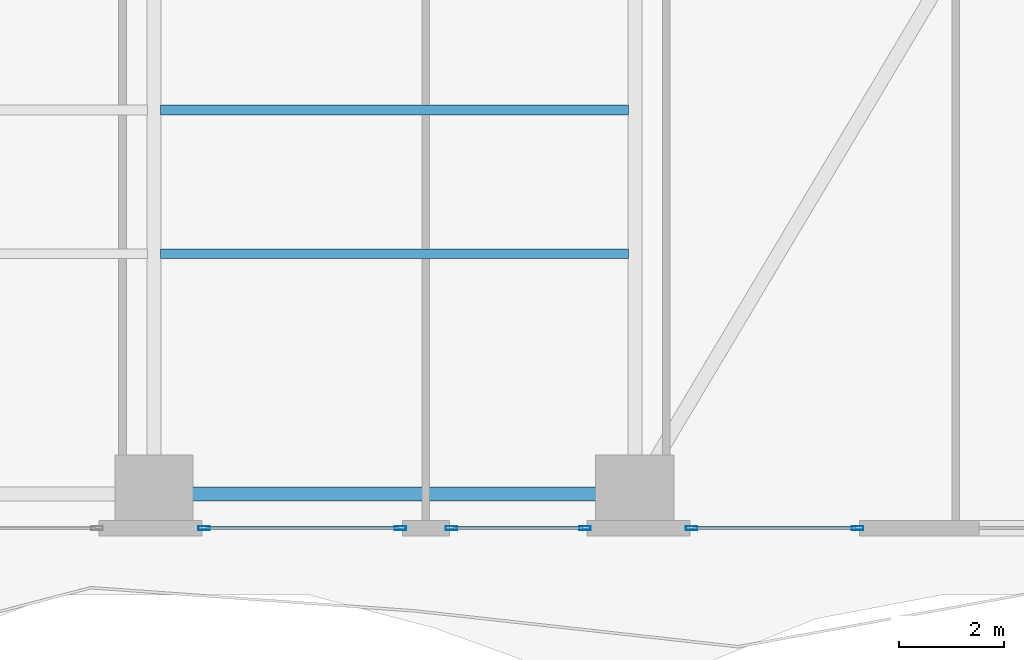
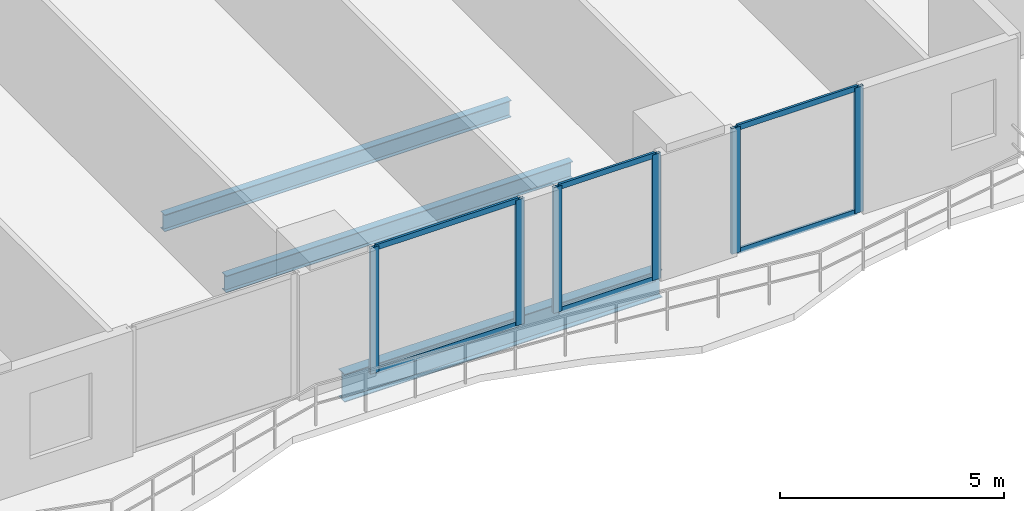
# One storey, part 8 of 28: 12 members, 3 beams, 3 elements without a shape of their own.
"""IFC4 building model written with IfcOpenShell, lengths in metres."""

from ifc_helpers import new_model, si_unit, direction, frame, origin, origin_2d, place, context, subcontext, project, spatial, hollow_rectangle, i_section, extrude, material, layer, layer_set, material_profile, profile_set, type_object, element, aggregate, save


model = new_model("IFC4")

# Units and contexts
model_context = context("Model", 3, precision=1e-05, world=origin(), true_north=direction((0.0, 1.0)))
body_context = subcontext(model_context, "Body", "Model", "MODEL_VIEW")
ifc_project = project(units=[si_unit("LENGTHUNIT", "METRE"), si_unit("AREAUNIT", "SQUARE_METRE"), si_unit("VOLUMEUNIT", "CUBIC_METRE"), si_unit("PLANEANGLEUNIT", "RADIAN"), si_unit("MASSUNIT", "GRAM", prefix="KILO")], contexts=[model_context])

# Site, building, storey
site_placement = place(None, origin())
site = spatial("IfcSite", under=ifc_project, at=site_placement, CompositionType="ELEMENT")
building_placement = place(site_placement, origin())
building = spatial("IfcBuilding", under=site, at=building_placement, Name="Zuhayl Quay Hotel", CompositionType="ELEMENT")
storey_placement = place(building_placement, frame((0.0, 0.0, 34.89990234375)))
storey = spatial("IfcBuildingStorey", under=building, at=storey_placement, Name="L07", CompositionType="ELEMENT", Elevation=34.89990234375)

# Beams
ifc_material_1 = material(Name="Steel ASTM A992 Grade 50", Category="steel")
ifc_material_profile_1 = material_profile(ifc_material_1, i_section(OverallWidth=0.26708984375, OverallDepth=0.761962890625, WebThickness=0.014404296875, FlangeThickness=0.021484375, at=origin_2d()), Name="W30X116")
ifc_profile_set_1 = profile_set([ifc_material_profile_1], Name="Steel ASTM A992 Grade 50")
beam_type_1 = type_object("IfcBeamType", Name="BM_B1_W30X116", PredefinedType="BEAM", material=ifc_profile_set_1)
beam_placement = place(storey_placement, frame((5.10009765625, -22.449951171875, -0.600830078125), z_axis=(1.0, 0.0, 0.0), x_axis=(0.0, 1.0, 0.0)))
element("IfcBeam", 1, at=beam_placement, inside=storey, type_object=beam_type_1, Name="L07 Floor Beam RG_L07_03", PredefinedType="BEAM", context=body_context, shape_type="SweptSolid", body=[
    extrude(i_section(OverallWidth=0.26708984375, OverallDepth=0.761962890625, WebThickness=0.014404296875, FlangeThickness=0.021484375, at=origin_2d()), origin(), (0.0, 0.0, 1.0), 8.199951171875),
])
ifc_material_profile_2 = material_profile(ifc_material_1, i_section(OverallWidth=0.18994140625, OverallDepth=0.45703125, WebThickness=0.009033203125, FlangeThickness=0.014404296875, at=origin_2d()), Name="W18X50")
ifc_profile_set_2 = profile_set([ifc_material_profile_2], Name="Steel ASTM A992 Grade 50")
beam_type_2 = type_object("IfcBeamType", Name="BM_J2_W18X50", PredefinedType="JOIST", material=ifc_profile_set_2)
for number, where, z_axis, x_axis, name in (
    (2, (4.7255859375, -17.85009765625, -0.448486328125), (1.0, 0.0, 0.0), (0.0, 1.0, 0.0), "L07 Floor Beam FJ_L07_3_3"),
    (3, (4.7255859375, -15.10009765625, -0.448486328125), (1.0, 0.0, 0.0), (0.0, 1.0, 0.0), "L07 Floor Beam FJ_L07_4_3"),
):
    element("IfcBeam", number, at=place(storey_placement, frame(where, z_axis=z_axis, x_axis=x_axis)), inside=storey, type_object=beam_type_2, Name=name, PredefinedType="JOIST", context=body_context, shape_type="SweptSolid", body=[
        extrude(i_section(OverallWidth=0.18994140625, OverallDepth=0.45703125, WebThickness=0.009033203125, FlangeThickness=0.014404296875, at=origin_2d()), origin(), (0.0, 0.0, 1.0), 8.948974609375),
    ])

# Curtain wall, members
ifc_material_2 = material(Name="Anodised Aluminium 6063-T6", Category="aluminium")
ifc_layer = layer(ifc_material_2, 0.18994140625, Name="Anodised Aluminium 6063-T6", Category="aluminium")
ifc_layer_set = layer_set([ifc_layer], Name="Anodised Aluminium 6063-T6")
curtain_wall_type = type_object("IfcCurtainWallType", Name="CW_SYS_Z1", PredefinedType="USERDEFINED", material=ifc_layer_set)
curtain_wall_1_placement = place(storey_placement, origin())
curtain_wall_1 = element("IfcCurtainWall", 4, at=curtain_wall_1_placement, inside=storey, type_object=curtain_wall_type, Name="L07 Curtain Wall ENV_L07_S_CW1", ObjectType="UNITISED CURTAIN WALL", PredefinedType="USERDEFINED")
ifc_material_3 = material(Name="Black-anodised aluminium 6063-T6", Category="aluminium")
ifc_material_profile_3 = material_profile(ifc_material_3, hollow_rectangle(XDim=0.074951171875, YDim=0.219970703125, WallThickness=0.00390625, at=origin_2d()), Name="ALU220X75")
ifc_profile_set_3 = profile_set([ifc_material_profile_3], Name="Black-anodised aluminium 6063-T6")
member_type_1 = type_object("IfcMemberType", Name="MB_CW_MUL_220", PredefinedType="MULLION", material=ifc_profile_set_3)
member_1_placement = place(storey_placement, frame((18.0625, -23.10009765625, 0.0), z_axis=(0.0, 0.0, 1.0), x_axis=(0.0, -1.0, 0.0)))
member_1 = element("IfcMember", 5, at=member_1_placement, type_object=member_type_1, Name="CW-Z1 mullion 1", PredefinedType="MULLION", context=body_context, shape_type="SweptSolid", body=[
    extrude(hollow_rectangle(XDim=0.074951171875, YDim=0.219970703125, WallThickness=0.00390625, at=origin_2d()), origin(), (0.0, 0.0, 1.0), 3.43017578125),
])
member_2_placement = place(storey_placement, frame((14.887451171875, -23.10009765625, 0.0), z_axis=(0.0, 0.0, 1.0), x_axis=(0.0, -1.0, 0.0)))
member_2 = element("IfcMember", 6, at=member_2_placement, type_object=member_type_1, Name="CW-Z1 mullion 2", PredefinedType="MULLION", context=body_context, shape_type="SweptSolid", body=[
    extrude(hollow_rectangle(XDim=0.074951171875, YDim=0.219970703125, WallThickness=0.00390625, at=origin_2d()), origin(), (0.0, 0.0, 1.0), 3.43017578125),
])

curtain_wall_2_placement = place(storey_placement, origin())
curtain_wall_2 = element("IfcCurtainWall", 7, at=curtain_wall_2_placement, inside=storey, type_object=curtain_wall_type, Name="L07 Curtain Wall ENV_L07_S_CW2", ObjectType="UNITISED CURTAIN WALL", PredefinedType="USERDEFINED")
member_3_placement = place(storey_placement, frame((12.842529296875, -23.10009765625, 0.0), z_axis=(0.0, 0.0, 1.0), x_axis=(0.0, -1.0, 0.0)))
member_3 = element("IfcMember", 8, at=member_3_placement, type_object=member_type_1, Name="CW-Z1 mullion 1", PredefinedType="MULLION", context=body_context, shape_type="SweptSolid", body=[
    extrude(hollow_rectangle(XDim=0.074951171875, YDim=0.219970703125, WallThickness=0.00390625, at=origin_2d()), origin(), (0.0, 0.0, 1.0), 3.43017578125),
])
member_4_placement = place(storey_placement, frame((10.28759765625, -23.10009765625, 0.0), z_axis=(0.0, 0.0, 1.0), x_axis=(0.0, -1.0, 0.0)))
member_4 = element("IfcMember", 9, at=member_4_placement, type_object=member_type_1, Name="CW-Z1 mullion 2", PredefinedType="MULLION", context=body_context, shape_type="SweptSolid", body=[
    extrude(hollow_rectangle(XDim=0.074951171875, YDim=0.219970703125, WallThickness=0.00390625, at=origin_2d()), origin(), (0.0, 0.0, 1.0), 3.43017578125),
])

curtain_wall_3_placement = place(storey_placement, origin())
curtain_wall_3 = element("IfcCurtainWall", 10, at=curtain_wall_3_placement, inside=storey, type_object=curtain_wall_type, Name="L07 Curtain Wall ENV_L07_S_CW3", ObjectType="UNITISED CURTAIN WALL", PredefinedType="USERDEFINED")
member_5_placement = place(storey_placement, frame((9.3125, -23.10009765625, 0.0), z_axis=(0.0, 0.0, 1.0), x_axis=(0.0, -1.0, 0.0)))
member_5 = element("IfcMember", 11, at=member_5_placement, type_object=member_type_1, Name="CW-Z1 mullion 1", PredefinedType="MULLION", context=body_context, shape_type="SweptSolid", body=[
    extrude(hollow_rectangle(XDim=0.074951171875, YDim=0.219970703125, WallThickness=0.00390625, at=origin_2d()), origin(), (0.0, 0.0, 1.0), 3.43017578125),
])
member_6_placement = place(storey_placement, frame((5.5576171875, -23.10009765625, 0.0), z_axis=(0.0, 0.0, 1.0), x_axis=(0.0, -1.0, 0.0)))
member_6 = element("IfcMember", 12, at=member_6_placement, type_object=member_type_1, Name="CW-Z1 mullion 2", PredefinedType="MULLION", context=body_context, shape_type="SweptSolid", body=[
    extrude(hollow_rectangle(XDim=0.074951171875, YDim=0.219970703125, WallThickness=0.00390625, at=origin_2d()), origin(), (0.0, 0.0, 1.0), 3.43017578125),
])

# Member
ifc_material_profile_4 = material_profile(ifc_material_3, hollow_rectangle(XDim=0.06005859375, YDim=0.14990234375, WallThickness=0.00341796875, at=origin_2d()), Name="ALU150X60")
ifc_profile_set_4 = profile_set([ifc_material_profile_4], Name="Black-anodised aluminium 6063-T6")
member_type_2 = type_object("IfcMemberType", Name="MB_CW_TRN_150", PredefinedType="USERDEFINED", material=ifc_profile_set_4)
member_7_placement = place(storey_placement, frame((18.02490234375, -23.10009765625, 0.030029296875), z_axis=(-1.0, 0.0, 0.0), x_axis=(0.0, -1.0, 0.0)))
member_7 = element("IfcMember", 13, at=member_7_placement, type_object=member_type_2, Name="CW-Z1 transom 1.1", ObjectType="TRANSOM", PredefinedType="USERDEFINED", context=body_context, shape_type="SweptSolid", body=[
    extrude(hollow_rectangle(XDim=0.06005859375, YDim=0.14990234375, WallThickness=0.00341796875, at=origin_2d()), origin(), (0.0, 0.0, 1.0), 3.099853515625),
])

member_8_placement = place(storey_placement, frame((18.02490234375, -23.10009765625, 3.400146484375), z_axis=(-1.0, 0.0, 0.0), x_axis=(0.0, -1.0, 0.0)))
member_8 = element("IfcMember", 14, at=member_8_placement, type_object=member_type_2, Name="CW-Z1 transom 1.2", ObjectType="TRANSOM", PredefinedType="USERDEFINED", context=body_context, shape_type="SweptSolid", body=[
    extrude(hollow_rectangle(XDim=0.06005859375, YDim=0.14990234375, WallThickness=0.00341796875, at=origin_2d()), origin(), (0.0, 0.0, 1.0), 3.099853515625),
])

aggregate(curtain_wall_1, [member_1, member_2, member_7, member_8])

member_9_placement = place(storey_placement, frame((12.804931640625, -23.10009765625, 0.030029296875), z_axis=(-1.0, 0.0, 0.0), x_axis=(0.0, -1.0, 0.0)))
member_9 = element("IfcMember", 15, at=member_9_placement, type_object=member_type_2, Name="CW-Z1 transom 1.1", ObjectType="TRANSOM", PredefinedType="USERDEFINED", context=body_context, shape_type="SweptSolid", body=[
    extrude(hollow_rectangle(XDim=0.06005859375, YDim=0.14990234375, WallThickness=0.00341796875, at=origin_2d()), origin(), (0.0, 0.0, 1.0), 2.47998046875),
])

member_10_placement = place(storey_placement, frame((12.804931640625, -23.10009765625, 3.400146484375), z_axis=(-1.0, 0.0, 0.0), x_axis=(0.0, -1.0, 0.0)))
member_10 = element("IfcMember", 16, at=member_10_placement, type_object=member_type_2, Name="CW-Z1 transom 1.2", ObjectType="TRANSOM", PredefinedType="USERDEFINED", context=body_context, shape_type="SweptSolid", body=[
    extrude(hollow_rectangle(XDim=0.06005859375, YDim=0.14990234375, WallThickness=0.00341796875, at=origin_2d()), origin(), (0.0, 0.0, 1.0), 2.47998046875),
])

aggregate(curtain_wall_2, [member_3, member_4, member_9, member_10])

member_11_placement = place(storey_placement, frame((9.27490234375, -23.10009765625, 0.030029296875), z_axis=(-1.0, 0.0, 0.0), x_axis=(0.0, -1.0, 0.0)))
member_11 = element("IfcMember", 17, at=member_11_placement, type_object=member_type_2, Name="CW-Z1 transom 1.1", ObjectType="TRANSOM", PredefinedType="USERDEFINED", context=body_context, shape_type="SweptSolid", body=[
    extrude(hollow_rectangle(XDim=0.06005859375, YDim=0.14990234375, WallThickness=0.00341796875, at=origin_2d()), origin(), (0.0, 0.0, 1.0), 3.679931640625),
])

member_12_placement = place(storey_placement, frame((9.27490234375, -23.10009765625, 3.400146484375), z_axis=(-1.0, 0.0, 0.0), x_axis=(0.0, -1.0, 0.0)))
member_12 = element("IfcMember", 18, at=member_12_placement, type_object=member_type_2, Name="CW-Z1 transom 1.2", ObjectType="TRANSOM", PredefinedType="USERDEFINED", context=body_context, shape_type="SweptSolid", body=[
    extrude(hollow_rectangle(XDim=0.06005859375, YDim=0.14990234375, WallThickness=0.00341796875, at=origin_2d()), origin(), (0.0, 0.0, 1.0), 3.679931640625),
])

aggregate(curtain_wall_3, [member_5, member_6, member_11, member_12])

save(model, "model.ifc")
